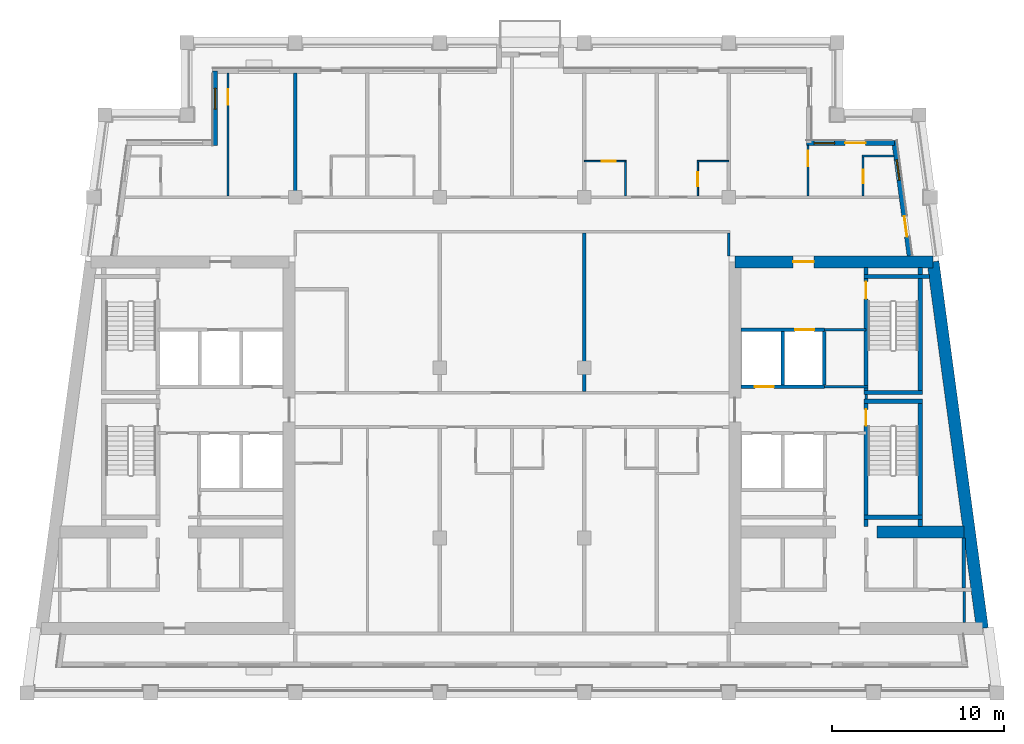
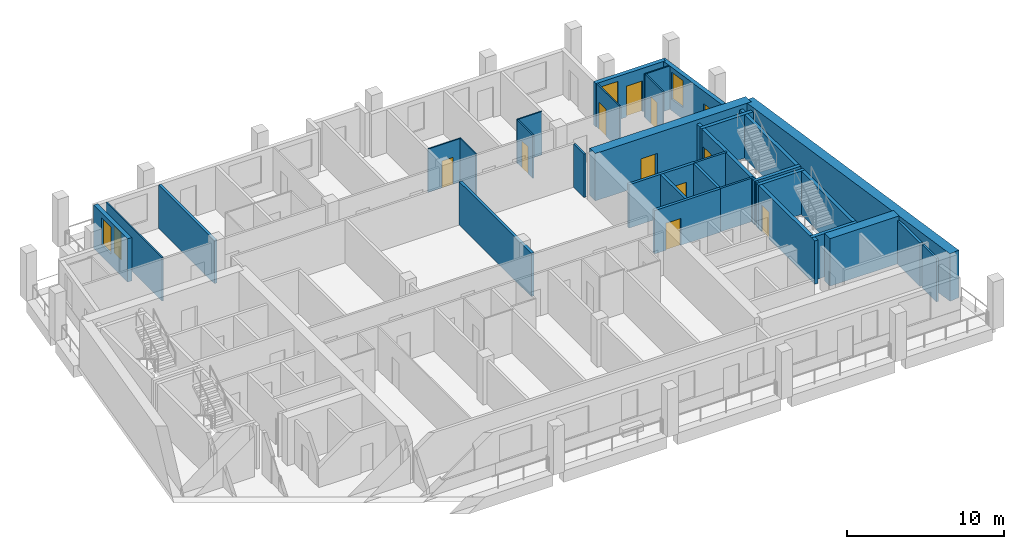
# One storey, part 6 of 13: 34 walls, 12 doors, 3 windows, 15 openings.
"""IFC4 building model written with IfcOpenShell, lengths in metres."""

from ifc_helpers import new_model, si_unit, direction, frame, frame_2d, origin, place, context, subcontext, project, spatial, rectangle, extrude, material, layer, layer_set, type_object, element, fill, save


model = new_model("IFC4")

# Units and contexts
model_context = context("Model", 3, precision=1e-05, world=origin(), true_north=direction((0.0, 1.0)))
body_context = subcontext(model_context, "Body", "Model", "MODEL_VIEW")
ifc_project = project(units=[si_unit("LENGTHUNIT", "METRE"), si_unit("AREAUNIT", "SQUARE_METRE"), si_unit("VOLUMEUNIT", "CUBIC_METRE"), si_unit("PLANEANGLEUNIT", "RADIAN"), si_unit("MASSUNIT", "GRAM", prefix="KILO")], contexts=[model_context])

# Site, building, storey
site_placement = place(None, origin())
site = spatial("IfcSite", under=ifc_project, at=site_placement, CompositionType="ELEMENT")
building_placement = place(site_placement, origin())
building = spatial("IfcBuilding", under=site, at=building_placement, Name="Candeia Pilgrim Tower and Theatre", CompositionType="ELEMENT")
storey_placement = place(building_placement, frame((0.0, 0.0, 270.10009765625)))
storey = spatial("IfcBuildingStorey", under=building, at=storey_placement, Name="L65", CompositionType="ELEMENT", Elevation=270.10009765625)

# Wall, opening, door
ifc_material_1 = material(Name="Concrete C40/50", Category="concrete")
ifc_layer_1 = layer(ifc_material_1, 0.699951171875)
ifc_layer_set_1 = layer_set([ifc_layer_1], Name="Core wall 700 C40/50")
wall_type_1 = type_object("IfcWallType", Name="Core wall 700 C40/50", PredefinedType="SHEAR", material=ifc_layer_set_1)
wall_1_placement = place(storey_placement, frame((126.35009765625, 132.050048828125, 0.0), z_axis=(0.0, 0.0, 1.0), x_axis=(1.0, 0.0, 0.0)))
wall_1 = element("IfcWall", 1, at=wall_1_placement, inside=storey, type_object=wall_type_1, Name="Core wall E1", PredefinedType="SHEAR", context=body_context, shape_type="SweptSolid", body=[
    extrude(rectangle(XDim=11.51318359375, YDim=0.699951171875, at=frame_2d((5.756591796875, 0.0))), origin(), (0.0, 0.0, 1.0), 3.699951171875),
])
opening_1_placement = place(wall_1_placement, frame((3.386474609375, 0.0, 0.0)))
opening_1 = element("IfcOpeningElement", 2, at=opening_1_placement, cuts=wall_1, Name="Opening L65-D052", PredefinedType="OPENING", context=body_context, shape_type="SweptSolid", body=[
    extrude(rectangle(XDim=1.199951171875, YDim=2.10009765625, at=frame_2d((0.60009765625, 1.050048828125))), frame((0.0, 0.35986328125, 0.0), z_axis=(0.0, -1.0, 0.0), x_axis=(1.0, 0.0, 0.0)), (0.0, 0.0, 1.0), 0.719970703125),
])
ifc_material_2 = material(Name="Steel fire door set", Category="steel")
door_type_1 = type_object("IfcDoorType", Name="D-1200-FD60", OperationType="NOTDEFINED", PredefinedType="DOOR", material=ifc_material_2)
door_1_placement = place(opening_1_placement, origin())
door_1 = element("IfcDoor", 3, at=door_1_placement, inside=storey, type_object=door_type_1, Name="Door L65-D052", OperationType="SINGLE_SWING_LEFT", OverallHeight=2.10009765625, OverallWidth=1.199951171875, PredefinedType="DOOR", context=body_context, shape_type="SweptSolid", body=[
    extrude(rectangle(XDim=1.199951171875, YDim=2.10009765625, at=frame_2d((0.60009765625, 1.050048828125))), frame((0.0, 0.02490234375, 0.0), z_axis=(0.0, -1.0, 0.0), x_axis=(1.0, 0.0, 0.0)), (0.0, 0.0, 1.0), 0.050048828125),
])
fill(opening_1, door_1)

# Walls
wall_2_placement = place(storey_placement, frame((137.86328125, 132.050048828125, 0.0), z_axis=(0.0, 0.0, 1.0), x_axis=(0.133406218907, -0.991061441464, 0.0)))
element("IfcWall", 4, at=wall_2_placement, inside=storey, type_object=wall_type_1, Name="Core wall E2", PredefinedType="SHEAR", context=body_context, shape_type="SweptSolid", body=[
    extrude(rectangle(XDim=21.4921875, YDim=0.699951171875, at=frame_2d((10.74609375, 0.0))), origin(), (0.0, 0.0, 1.0), 3.699951171875),
])
wall_3_placement = place(storey_placement, frame((134.60009765625, 116.35009765625, 0.0), z_axis=(0.0, 0.0, 1.0), x_axis=(1.0, 0.0, 0.0)))
element("IfcWall", 5, at=wall_3_placement, inside=storey, type_object=wall_type_1, Name="Core wall E6", PredefinedType="SHEAR", context=body_context, shape_type="SweptSolid", body=[
    extrude(rectangle(XDim=5.076904296875, YDim=0.699951171875, at=frame_2d((2.53857421875, 0.0))), origin(), (0.0, 0.0, 1.0), 3.699951171875),
])

# Wall, openings, door, window
ifc_material_3 = material(Name="Ceramic block masonry", Category="masonry")
ifc_layer_2 = layer(ifc_material_3, 0.300048828125)
ifc_layer_set_2 = layer_set([ifc_layer_2], Name="EW1 glazing-line wall 300")
wall_type_2 = type_object("IfcWallType", Name="EW1 glazing-line wall 300", PredefinedType="SOLIDWALL", material=ifc_layer_set_2)
wall_4_placement = place(storey_placement, frame((136.50439453125, 132.39990234375, 0.0), z_axis=(0.0, 0.0, 1.0), x_axis=(-0.133399697462, 0.99106231929, 0.0)))
wall_4 = element("IfcWall", 6, at=wall_4_placement, inside=storey, type_object=wall_type_2, Name="External wall L65-2.1", PredefinedType="SOLIDWALL", context=body_context, shape_type="SweptSolid", body=[
    extrude(rectangle(XDim=6.740478515625, YDim=0.300048828125, at=frame_2d((3.3701171875, 0.0))), origin(), (0.0, 0.0, 1.0), 3.3798828125),
])
opening_2_placement = place(wall_4_placement, frame((1.115234375, 0.0, 0.0)))
opening_2 = element("IfcOpeningElement", 7, at=opening_2_placement, cuts=wall_4, Name="Opening L65-ED615", PredefinedType="OPENING", context=body_context, shape_type="SweptSolid", body=[
    extrude(rectangle(XDim=1.199951171875, YDim=2.39990234375, at=frame_2d((0.60009765625, 1.199951171875))), frame((0.0, 0.16015625, 0.0), z_axis=(0.0, -1.0, 0.0), x_axis=(1.0, 0.0, 0.0)), (0.0, 0.0, 1.0), 0.320068359375),
])
opening_3_placement = place(wall_4_placement, frame((4.435546875, 0.0, 0.89990234375)))
opening_3 = element("IfcOpeningElement", 8, at=opening_3_placement, cuts=wall_4, Name="Opening W-B", PredefinedType="OPENING", context=body_context, shape_type="SweptSolid", body=[
    extrude(rectangle(XDim=1.199951171875, YDim=2.10009765625, at=frame_2d((0.60009765625, 1.050048828125))), frame((0.0, 0.16015625, 0.0), z_axis=(0.0, -1.0, 0.0), x_axis=(1.0, 0.0, 0.0)), (0.0, 0.0, 1.0), 0.320068359375),
])
ifc_material_4 = material(Name="Aluminium framed glazed door", Category="aluminium")
door_type_2 = type_object("IfcDoorType", Name="Loggia door 1200x2400", OperationType="DOUBLE_DOOR_SINGLE_SWING", PredefinedType="DOOR", material=ifc_material_4)
door_2_placement = place(opening_2_placement, origin())
door_2 = element("IfcDoor", 9, at=door_2_placement, inside=storey, type_object=door_type_2, Name="Loggia door L65-ED615", OperationType="DOUBLE_DOOR_SINGLE_SWING", OverallHeight=2.39990234375, OverallWidth=1.199951171875, PredefinedType="DOOR", context=body_context, shape_type="SweptSolid", body=[
    extrude(rectangle(XDim=1.199951171875, YDim=2.39990234375, at=frame_2d((0.60009765625, 1.199951171875))), frame((0.0, 0.02490234375, 0.0), z_axis=(0.0, -1.0, 0.0), x_axis=(1.0, 0.0, 0.0)), (0.0, 0.0, 1.0), 0.050048828125),
])
fill(opening_2, door_2)
ifc_material_5 = material(Name="Aluminium framed double glazing", Category="aluminium")
window_type = type_object("IfcWindowType", Name="W-B window 1200x2100", PartitioningType="SINGLE_PANEL", PredefinedType="WINDOW", material=ifc_material_5)
window_1_placement = place(opening_3_placement, origin())
window_1 = element("IfcWindow", 10, at=window_1_placement, inside=storey, type_object=window_type, Name="Window W-B L65", OverallHeight=2.10009765625, OverallWidth=1.199951171875, PartitioningType="SINGLE_PANEL", PredefinedType="WINDOW", context=body_context, shape_type="SweptSolid", body=[
    extrude(rectangle(XDim=1.199951171875, YDim=2.10009765625, at=frame_2d((0.60009765625, 1.050048828125))), frame((0.0, 0.030029296875, 0.0), z_axis=(0.0, -1.0, 0.0), x_axis=(1.0, 0.0, 0.0)), (0.0, 0.0, 1.0), 0.06005859375),
])
fill(opening_3, window_1)

wall_5_placement = place(storey_placement, frame((135.62255859375, 138.949951171875, 0.0), z_axis=(0.0, 0.0, 1.0), x_axis=(-1.0, 0.0, 0.0)))
wall_5 = element("IfcWall", 11, at=wall_5_placement, inside=storey, type_object=wall_type_2, Name="External wall L65-3.0", PredefinedType="SOLIDWALL", context=body_context, shape_type="SweptSolid", body=[
    extrude(rectangle(XDim=5.12255859375, YDim=0.300048828125, at=frame_2d((2.561279296875, 0.0))), origin(), (0.0, 0.0, 1.0), 3.3798828125),
])
opening_4_placement = place(wall_5_placement, frame((1.672607421875, 0.0, 0.0)))
opening_4 = element("IfcOpeningElement", 12, at=opening_4_placement, cuts=wall_5, Name="Opening L65-ED616", PredefinedType="OPENING", context=body_context, shape_type="SweptSolid", body=[
    extrude(rectangle(XDim=1.199951171875, YDim=2.39990234375, at=frame_2d((0.60009765625, 1.199951171875))), frame((0.0, 0.16015625, 0.0), z_axis=(0.0, -1.0, 0.0), x_axis=(1.0, 0.0, 0.0)), (0.0, 0.0, 1.0), 0.320068359375),
])
opening_5_placement = place(wall_5_placement, frame((3.47265625, 0.0, 0.89990234375)))
opening_5 = element("IfcOpeningElement", 13, at=opening_5_placement, cuts=wall_5, Name="Opening W-B", PredefinedType="OPENING", context=body_context, shape_type="SweptSolid", body=[
    extrude(rectangle(XDim=1.199951171875, YDim=2.10009765625, at=frame_2d((0.60009765625, 1.050048828125))), frame((0.0, 0.16015625, 0.0), z_axis=(0.0, -1.0, 0.0), x_axis=(1.0, 0.0, 0.0)), (0.0, 0.0, 1.0), 0.320068359375),
])
door_3_placement = place(opening_4_placement, origin())
door_3 = element("IfcDoor", 14, at=door_3_placement, inside=storey, type_object=door_type_2, Name="Loggia door L65-ED616", OperationType="DOUBLE_DOOR_SINGLE_SWING", OverallHeight=2.39990234375, OverallWidth=1.199951171875, PredefinedType="DOOR", context=body_context, shape_type="SweptSolid", body=[
    extrude(rectangle(XDim=1.199951171875, YDim=2.39990234375, at=frame_2d((0.60009765625, 1.199951171875))), frame((0.0, 0.02490234375, 0.0), z_axis=(0.0, -1.0, 0.0), x_axis=(1.0, 0.0, 0.0)), (0.0, 0.0, 1.0), 0.050048828125),
])
fill(opening_4, door_3)
window_2_placement = place(opening_5_placement, origin())
window_2 = element("IfcWindow", 15, at=window_2_placement, inside=storey, type_object=window_type, Name="Window W-B L65", OverallHeight=2.10009765625, OverallWidth=1.199951171875, PartitioningType="SINGLE_PANEL", PredefinedType="WINDOW", context=body_context, shape_type="SweptSolid", body=[
    extrude(rectangle(XDim=1.199951171875, YDim=2.10009765625, at=frame_2d((0.60009765625, 1.050048828125))), frame((0.0, 0.030029296875, 0.0), z_axis=(0.0, -1.0, 0.0), x_axis=(1.0, 0.0, 0.0)), (0.0, 0.0, 1.0), 0.06005859375),
])
fill(opening_5, window_2)

# Wall, opening, window
wall_6_placement = place(storey_placement, frame((96.14990234375, 143.14990234375, 0.0), z_axis=(0.0, 0.0, 1.0), x_axis=(0.0, -1.0, 0.0)))
wall_6 = element("IfcWall", 16, at=wall_6_placement, inside=storey, type_object=wall_type_2, Name="External wall L65-6.0", PredefinedType="SOLIDWALL", context=body_context, shape_type="SweptSolid", body=[
    extrude(rectangle(XDim=4.349853515625, YDim=0.300048828125, at=frame_2d((2.1748046875, 0.0))), origin(), (0.0, 0.0, 1.0), 3.3798828125),
])
opening_6_placement = place(wall_6_placement, frame((1.02490234375, 0.0, 0.89990234375)))
opening_6 = element("IfcOpeningElement", 17, at=opening_6_placement, cuts=wall_6, Name="Opening W-B", PredefinedType="OPENING", context=body_context, shape_type="SweptSolid", body=[
    extrude(rectangle(XDim=1.199951171875, YDim=2.10009765625, at=frame_2d((0.60009765625, 1.050048828125))), frame((0.0, 0.16015625, 0.0), z_axis=(0.0, -1.0, 0.0), x_axis=(1.0, 0.0, 0.0)), (0.0, 0.0, 1.0), 0.320068359375),
])
window_3_placement = place(opening_6_placement, origin())
window_3 = element("IfcWindow", 18, at=window_3_placement, inside=storey, type_object=window_type, Name="Window W-B L65", OverallHeight=2.10009765625, OverallWidth=1.199951171875, PartitioningType="SINGLE_PANEL", PredefinedType="WINDOW", context=body_context, shape_type="SweptSolid", body=[
    extrude(rectangle(XDim=1.199951171875, YDim=2.10009765625, at=frame_2d((0.60009765625, 1.050048828125))), frame((0.0, 0.030029296875, 0.0), z_axis=(0.0, -1.0, 0.0), x_axis=(1.0, 0.0, 0.0)), (0.0, 0.0, 1.0), 0.06005859375),
])
fill(opening_6, window_3)

# Wall, opening, door
ifc_material_6 = material(Name="Gypsum board partition on steel studs", Category="steel")
ifc_layer_3 = layer(ifc_material_6, 0.10009765625)
ifc_layer_set_3 = layer_set([ifc_layer_3], Name="PW-100 room partition")
wall_type_3 = type_object("IfcWallType", Name="PW-100 room partition", PredefinedType="PARTITIONING", material=ifc_layer_set_3)
wall_7_placement = place(storey_placement, frame((117.60009765625, 137.89990234375, 0.0), z_axis=(0.0, 0.0, 1.0), x_axis=(1.0, 0.0, 0.0)))
wall_7 = element("IfcWall", 19, at=wall_7_placement, inside=storey, type_object=wall_type_3, Name="Room partition L65-040", PredefinedType="PARTITIONING", context=body_context, shape_type="SweptSolid", body=[
    extrude(rectangle(XDim=2.449951171875, YDim=0.10009765625, at=frame_2d((1.22509765625, 0.0))), origin(), (0.0, 0.0, 1.0), 3.3798828125),
])
opening_7_placement = place(wall_7_placement, frame((1.02490234375, 0.0, 0.0)))
opening_7 = element("IfcOpeningElement", 20, at=opening_7_placement, cuts=wall_7, Name="Opening L65-D038", PredefinedType="OPENING", context=body_context, shape_type="SweptSolid", body=[
    extrude(rectangle(XDim=0.800048828125, YDim=2.10009765625, at=frame_2d((0.39990234375, 1.050048828125))), frame((0.0, 0.06005859375, 0.0), z_axis=(0.0, -1.0, 0.0), x_axis=(1.0, 0.0, 0.0)), (0.0, 0.0, 1.0), 0.1201171875),
])
ifc_material_7 = material(Name="Timber door leaf", Category="wood")
door_type_3 = type_object("IfcDoorType", Name="D-800", OperationType="NOTDEFINED", PredefinedType="DOOR", material=ifc_material_7)
door_4_placement = place(opening_7_placement, origin())
door_4 = element("IfcDoor", 21, at=door_4_placement, inside=storey, type_object=door_type_3, Name="Door L65-D038", OperationType="SINGLE_SWING_LEFT", OverallHeight=2.10009765625, OverallWidth=0.800048828125, PredefinedType="DOOR", context=body_context, shape_type="SweptSolid", body=[
    extrude(rectangle(XDim=0.800048828125, YDim=2.10009765625, at=frame_2d((0.39990234375, 1.050048828125))), frame((0.0, 0.02490234375, 0.0), z_axis=(0.0, -1.0, 0.0), x_axis=(1.0, 0.0, 0.0)), (0.0, 0.0, 1.0), 0.050048828125),
])
fill(opening_7, door_4)

# Walls
wall_8_placement = place(storey_placement, frame((124.14990234375, 137.89990234375, 0.0), z_axis=(0.0, 0.0, 1.0), x_axis=(1.0, 0.0, 0.0)))
element("IfcWall", 22, at=wall_8_placement, inside=storey, type_object=wall_type_3, Name="Room partition L65-041", PredefinedType="PARTITIONING", context=body_context, shape_type="SweptSolid", body=[
    extrude(rectangle(XDim=1.85009765625, YDim=0.10009765625, at=frame_2d((0.925048828125, 0.0))), origin(), (0.0, 0.0, 1.0), 3.3798828125),
])
wall_9_placement = place(storey_placement, frame((133.75, 138.199951171875, 0.0), z_axis=(0.0, 0.0, 1.0), x_axis=(1.0, 0.0, 0.0)))
element("IfcWall", 23, at=wall_9_placement, inside=storey, type_object=wall_type_3, Name="Room partition L65-044", PredefinedType="PARTITIONING", context=body_context, shape_type="SweptSolid", body=[
    extrude(rectangle(XDim=1.832275390625, YDim=0.10009765625, at=frame_2d((0.916015625, 0.0))), origin(), (0.0, 0.0, 1.0), 3.3798828125),
])

# Wall, opening, door
wall_10_placement = place(storey_placement, frame((96.89990234375, 135.875, 0.0), z_axis=(0.0, 0.0, 1.0), x_axis=(0.0, 1.0, 0.0)))
wall_10 = element("IfcWall", 24, at=wall_10_placement, inside=storey, type_object=wall_type_3, Name="Room partition L65-058", PredefinedType="PARTITIONING", context=body_context, shape_type="SweptSolid", body=[
    extrude(rectangle(XDim=7.135009765625, YDim=0.10009765625, at=frame_2d((3.5673828125, 0.0))), origin(), (0.0, 0.0, 1.0), 3.3798828125),
])
opening_8_placement = place(wall_10_placement, frame((5.2900390625, 0.0, 0.0)))
opening_8 = element("IfcOpeningElement", 25, at=opening_8_placement, cuts=wall_10, Name="Opening L65-D029", PredefinedType="OPENING", context=body_context, shape_type="SweptSolid", body=[
    extrude(rectangle(XDim=0.89990234375, YDim=2.10009765625, at=frame_2d((0.449951171875, 1.050048828125))), frame((0.0, 0.06005859375, 0.0), z_axis=(0.0, -1.0, 0.0), x_axis=(1.0, 0.0, 0.0)), (0.0, 0.0, 1.0), 0.1201171875),
])
door_type_4 = type_object("IfcDoorType", Name="D-900", OperationType="NOTDEFINED", PredefinedType="DOOR", material=ifc_material_7)
door_5_placement = place(opening_8_placement, origin())
door_5 = element("IfcDoor", 26, at=door_5_placement, inside=storey, type_object=door_type_4, Name="Door L65-D029", OperationType="SINGLE_SWING_RIGHT", OverallHeight=2.10009765625, OverallWidth=0.89990234375, PredefinedType="DOOR", context=body_context, shape_type="SweptSolid", body=[
    extrude(rectangle(XDim=0.89990234375, YDim=2.10009765625, at=frame_2d((0.449951171875, 1.050048828125))), frame((0.0, 0.02490234375, 0.0), z_axis=(0.0, -1.0, 0.0), x_axis=(1.0, 0.0, 0.0)), (0.0, 0.0, 1.0), 0.050048828125),
])
fill(opening_8, door_5)

# Wall
wall_11_placement = place(storey_placement, frame((120.0, 135.875, 0.0), z_axis=(0.0, 0.0, 1.0), x_axis=(0.0, 1.0, 0.0)))
element("IfcWall", 27, at=wall_11_placement, inside=storey, type_object=wall_type_3, Name="Room partition L65-082", PredefinedType="PARTITIONING", context=body_context, shape_type="SweptSolid", body=[
    extrude(rectangle(XDim=1.97509765625, YDim=0.10009765625, at=frame_2d((0.987548828125, 0.0))), origin(), (0.0, 0.0, 1.0), 3.3798828125),
])

# Wall, opening, door
wall_12_placement = place(storey_placement, frame((124.199951171875, 135.875, 0.0), z_axis=(0.0, 0.0, 1.0), x_axis=(0.0, 1.0, 0.0)))
wall_12 = element("IfcWall", 28, at=wall_12_placement, inside=storey, type_object=wall_type_3, Name="Room partition L65-086", PredefinedType="PARTITIONING", context=body_context, shape_type="SweptSolid", body=[
    extrude(rectangle(XDim=1.97509765625, YDim=0.10009765625, at=frame_2d((0.987548828125, 0.0))), origin(), (0.0, 0.0, 1.0), 3.3798828125),
])
opening_9_placement = place(wall_12_placement, frame((0.574951171875, 0.0, 0.0)))
opening_9 = element("IfcOpeningElement", 29, at=opening_9_placement, cuts=wall_12, Name="Opening L65-D040", PredefinedType="OPENING", context=body_context, shape_type="SweptSolid", body=[
    extrude(rectangle(XDim=0.800048828125, YDim=2.10009765625, at=frame_2d((0.39990234375, 1.050048828125))), frame((0.0, 0.06005859375, 0.0), z_axis=(0.0, -1.0, 0.0), x_axis=(1.0, 0.0, 0.0)), (0.0, 0.0, 1.0), 0.1201171875),
])
door_6_placement = place(opening_9_placement, origin())
door_6 = element("IfcDoor", 30, at=door_6_placement, inside=storey, type_object=door_type_3, Name="Door L65-D040", OperationType="SINGLE_SWING_LEFT", OverallHeight=2.10009765625, OverallWidth=0.800048828125, PredefinedType="DOOR", context=body_context, shape_type="SweptSolid", body=[
    extrude(rectangle(XDim=0.800048828125, YDim=2.10009765625, at=frame_2d((0.39990234375, 1.050048828125))), frame((0.0, 0.02490234375, 0.0), z_axis=(0.0, -1.0, 0.0), x_axis=(1.0, 0.0, 0.0)), (0.0, 0.0, 1.0), 0.050048828125),
])
fill(opening_9, door_6)

wall_13_placement = place(storey_placement, frame((130.60009765625, 135.875, 0.0), z_axis=(0.0, 0.0, 1.0), x_axis=(0.0, 1.0, 0.0)))
wall_13 = element("IfcWall", 31, at=wall_13_placement, inside=storey, type_object=wall_type_3, Name="Room partition L65-093", PredefinedType="PARTITIONING", context=body_context, shape_type="SweptSolid", body=[
    extrude(rectangle(XDim=2.93505859375, YDim=0.10009765625, at=frame_2d((1.467529296875, 0.0))), origin(), (0.0, 0.0, 1.0), 3.3798828125),
])
opening_10_placement = place(wall_13_placement, frame((1.719970703125, 0.0, 0.0)))
opening_10 = element("IfcOpeningElement", 32, at=opening_10_placement, cuts=wall_13, Name="Opening L65-D042", PredefinedType="OPENING", context=body_context, shape_type="SweptSolid", body=[
    extrude(rectangle(XDim=0.89990234375, YDim=2.10009765625, at=frame_2d((0.449951171875, 1.050048828125))), frame((0.0, 0.06005859375, 0.0), z_axis=(0.0, -1.0, 0.0), x_axis=(1.0, 0.0, 0.0)), (0.0, 0.0, 1.0), 0.1201171875),
])
door_7_placement = place(opening_10_placement, origin())
door_7 = element("IfcDoor", 33, at=door_7_placement, inside=storey, type_object=door_type_4, Name="Door L65-D042", OperationType="SINGLE_SWING_LEFT", OverallHeight=2.10009765625, OverallWidth=0.89990234375, PredefinedType="DOOR", context=body_context, shape_type="SweptSolid", body=[
    extrude(rectangle(XDim=0.89990234375, YDim=2.10009765625, at=frame_2d((0.449951171875, 1.050048828125))), frame((0.0, 0.02490234375, 0.0), z_axis=(0.0, -1.0, 0.0), x_axis=(1.0, 0.0, 0.0)), (0.0, 0.0, 1.0), 0.050048828125),
])
fill(opening_10, door_7)

wall_14_placement = place(storey_placement, frame((133.800048828125, 135.875, 0.0), z_axis=(0.0, 0.0, 1.0), x_axis=(0.0, 1.0, 0.0)))
wall_14 = element("IfcWall", 34, at=wall_14_placement, inside=storey, type_object=wall_type_3, Name="Room partition L65-097", PredefinedType="PARTITIONING", context=body_context, shape_type="SweptSolid", body=[
    extrude(rectangle(XDim=2.27490234375, YDim=0.10009765625, at=frame_2d((1.137451171875, 0.0))), origin(), (0.0, 0.0, 1.0), 3.3798828125),
])
opening_11_placement = place(wall_14_placement, frame((0.72509765625, 0.0, 0.0)))
opening_11 = element("IfcOpeningElement", 35, at=opening_11_placement, cuts=wall_14, Name="Opening L65-D043", PredefinedType="OPENING", context=body_context, shape_type="SweptSolid", body=[
    extrude(rectangle(XDim=0.800048828125, YDim=2.10009765625, at=frame_2d((0.39990234375, 1.050048828125))), frame((0.0, 0.06005859375, 0.0), z_axis=(0.0, -1.0, 0.0), x_axis=(1.0, 0.0, 0.0)), (0.0, 0.0, 1.0), 0.1201171875),
])
door_8_placement = place(opening_11_placement, origin())
door_8 = element("IfcDoor", 36, at=door_8_placement, inside=storey, type_object=door_type_3, Name="Door L65-D043", OperationType="SINGLE_SWING_RIGHT", OverallHeight=2.10009765625, OverallWidth=0.800048828125, PredefinedType="DOOR", context=body_context, shape_type="SweptSolid", body=[
    extrude(rectangle(XDim=0.800048828125, YDim=2.10009765625, at=frame_2d((0.39990234375, 1.050048828125))), frame((0.0, 0.02490234375, 0.0), z_axis=(0.0, -1.0, 0.0), x_axis=(1.0, 0.0, 0.0)), (0.0, 0.0, 1.0), 0.050048828125),
])
fill(opening_11, door_8)

# Walls
ifc_layer_4 = layer(ifc_material_6, 0.14990234375)
ifc_layer_set_4 = layer_set([ifc_layer_4], Name="PW-150 lobby wall")
wall_type_4 = type_object("IfcWallType", Name="PW-150 lobby wall", PredefinedType="PARTITIONING", material=ifc_layer_set_4)
wall_15_placement = place(storey_placement, frame((131.548583984375, 124.800048828125, 0.0), z_axis=(0.0, 0.0, 1.0), x_axis=(1.0, 0.0, 0.0)))
element("IfcWall", 37, at=wall_15_placement, inside=storey, type_object=wall_type_4, Name="Lobby wall L65-031", PredefinedType="PARTITIONING", context=body_context, shape_type="SweptSolid", body=[
    extrude(rectangle(XDim=2.54931640625, YDim=0.14990234375, at=frame_2d((1.274658203125, 0.0))), origin(), (0.0, 0.0, 1.0), 3.3798828125),
])
wall_16_placement = place(storey_placement, frame((131.548583984375, 128.10009765625, 0.0), z_axis=(0.0, 0.0, 1.0), x_axis=(1.0, 0.0, 0.0)))
element("IfcWall", 38, at=wall_16_placement, inside=storey, type_object=wall_type_4, Name="Lobby wall L65-034", PredefinedType="PARTITIONING", context=body_context, shape_type="SweptSolid", body=[
    extrude(rectangle(XDim=2.42431640625, YDim=0.14990234375, at=frame_2d((1.212158203125, 0.0))), origin(), (0.0, 0.0, 1.0), 3.3798828125),
])
wall_17_placement = place(storey_placement, frame((133.972900390625, 124.074951171875, 0.0), z_axis=(0.0, 0.0, 1.0), x_axis=(0.0, 1.0, 0.0)))
element("IfcWall", 39, at=wall_17_placement, inside=storey, type_object=wall_type_4, Name="Lobby wall L65-099", PredefinedType="PARTITIONING", context=body_context, shape_type="SweptSolid", body=[
    extrude(rectangle(XDim=0.25, YDim=0.14990234375, at=frame_2d((0.125, 0.0))), origin(), (0.0, 0.0, 1.0), 3.3798828125),
])
wall_18_placement = place(storey_placement, frame((139.673095703125, 111.10009765625, 0.0), z_axis=(0.0, 0.0, 1.0), x_axis=(0.0, 1.0, 0.0)))
element("IfcWall", 40, at=wall_18_placement, inside=storey, type_object=wall_type_4, Name="Lobby wall L65-106", PredefinedType="PARTITIONING", context=body_context, shape_type="SweptSolid", body=[
    extrude(rectangle(XDim=1.7998046875, YDim=0.14990234375, at=frame_2d((0.89990234375, 0.0))), origin(), (0.0, 0.0, 1.0), 3.3798828125),
])
ifc_layer_5 = layer(ifc_material_6, 0.14990234375)
ifc_layer_set_5 = layer_set([ifc_layer_5], Name="PW-150 unit wall")
wall_type_5 = type_object("IfcWallType", Name="PW-150 unit wall", PredefinedType="PARTITIONING", material=ifc_layer_set_5)
wall_19_placement = place(storey_placement, frame((126.0, 132.39990234375, 0.0), z_axis=(0.0, 0.0, 1.0), x_axis=(0.0, 1.0, 0.0)))
element("IfcWall", 41, at=wall_19_placement, inside=storey, type_object=wall_type_5, Name="Unit wall L65-089", PredefinedType="PARTITIONING", context=body_context, shape_type="SweptSolid", body=[
    extrude(rectangle(XDim=1.3251953125, YDim=0.14990234375, at=frame_2d((0.66259765625, 0.0))), origin(), (0.0, 0.0, 1.0), 3.3798828125),
])
ifc_layer_6 = layer(ifc_material_6, 0.199951171875)
ifc_layer_set_6 = layer_set([ifc_layer_6], Name="PW-200 party wall")
wall_type_6 = type_object("IfcWallType", Name="PW-200 party wall", PredefinedType="PARTITIONING", material=ifc_layer_set_6)
wall_20_placement = place(storey_placement, frame((100.800048828125, 135.875, 0.0), z_axis=(0.0, 0.0, 1.0), x_axis=(0.0, 1.0, 0.0)))
element("IfcWall", 42, at=wall_20_placement, inside=storey, type_object=wall_type_6, Name="Party wall L65-063", PredefinedType="PARTITIONING", context=body_context, shape_type="SweptSolid", body=[
    extrude(rectangle(XDim=7.135009765625, YDim=0.199951171875, at=frame_2d((3.5673828125, 0.0))), origin(), (0.0, 0.0, 1.0), 3.3798828125),
])
wall_21_placement = place(storey_placement, frame((117.60009765625, 124.52490234375, 0.0), z_axis=(0.0, 0.0, 1.0), x_axis=(0.0, 1.0, 0.0)))
element("IfcWall", 43, at=wall_21_placement, inside=storey, type_object=wall_type_6, Name="Party wall L65-079", PredefinedType="PARTITIONING", context=body_context, shape_type="SweptSolid", body=[
    extrude(rectangle(XDim=9.2001953125, YDim=0.199951171875, at=frame_2d((4.60009765625, 0.0))), origin(), (0.0, 0.0, 1.0), 3.3798828125),
])

# Wall, opening, door
ifc_layer_7 = layer(ifc_material_1, 0.199951171875)
ifc_layer_set_7 = layer_set([ifc_layer_7], Name="SW-200 shaft wall")
wall_type_7 = type_object("IfcWallType", Name="SW-200 shaft wall", PredefinedType="PARTITIONING", material=ifc_layer_set_7)
wall_22_placement = place(storey_placement, frame((126.699951171875, 124.800048828125, 0.0), z_axis=(0.0, 0.0, 1.0), x_axis=(1.0, 0.0, 0.0)))
wall_22 = element("IfcWall", 44, at=wall_22_placement, inside=storey, type_object=wall_type_7, Name="Shaft wall L65-030", PredefinedType="PARTITIONING", context=body_context, shape_type="SweptSolid", body=[
    extrude(rectangle(XDim=4.8486328125, YDim=0.199951171875, at=frame_2d((2.42431640625, 0.0))), origin(), (0.0, 0.0, 1.0), 3.3798828125),
])
opening_12_placement = place(wall_22_placement, frame((0.818115234375, 0.0, 0.0)))
opening_12 = element("IfcOpeningElement", 45, at=opening_12_placement, cuts=wall_22, Name="Opening L65-LD08", PredefinedType="OPENING", context=body_context, shape_type="SweptSolid", body=[
    extrude(rectangle(XDim=1.10009765625, YDim=2.10009765625, at=frame_2d((0.550048828125, 1.050048828125))), frame((0.0, 0.10986328125, 0.0), z_axis=(0.0, -1.0, 0.0), x_axis=(1.0, 0.0, 0.0)), (0.0, 0.0, 1.0), 0.219970703125),
])
ifc_material_8 = material(Name="Glazed aluminium landing door", Category="aluminium")
door_type_5 = type_object("IfcDoorType", Name="LD-1100-EI120", OperationType="SLIDING_TO_LEFT", PredefinedType="DOOR", material=ifc_material_8)
door_9_placement = place(opening_12_placement, origin())
door_9 = element("IfcDoor", 46, at=door_9_placement, inside=storey, type_object=door_type_5, Name="Landing door 08 L65", OperationType="SLIDING_TO_LEFT", OverallHeight=2.10009765625, OverallWidth=1.10009765625, PredefinedType="DOOR", context=body_context, shape_type="SweptSolid", body=[
    extrude(rectangle(XDim=1.10009765625, YDim=2.10009765625, at=frame_2d((0.550048828125, 1.050048828125))), frame((0.0, 0.02490234375, 0.0), z_axis=(0.0, -1.0, 0.0), x_axis=(1.0, 0.0, 0.0)), (0.0, 0.0, 1.0), 0.050048828125),
])
fill(opening_12, door_9)

wall_23_placement = place(storey_placement, frame((126.699951171875, 128.10009765625, 0.0), z_axis=(0.0, 0.0, 1.0), x_axis=(1.0, 0.0, 0.0)))
wall_23 = element("IfcWall", 47, at=wall_23_placement, inside=storey, type_object=wall_type_7, Name="Shaft wall L65-033", PredefinedType="PARTITIONING", context=body_context, shape_type="SweptSolid", body=[
    extrude(rectangle(XDim=4.8486328125, YDim=0.199951171875, at=frame_2d((2.42431640625, 0.0))), origin(), (0.0, 0.0, 1.0), 3.3798828125),
])
opening_13_placement = place(wall_23_placement, frame((3.14892578125, 0.0, 0.0)))
opening_13 = element("IfcOpeningElement", 48, at=opening_13_placement, cuts=wall_23, Name="Opening L65-LD07", PredefinedType="OPENING", context=body_context, shape_type="SweptSolid", body=[
    extrude(rectangle(XDim=1.10009765625, YDim=2.10009765625, at=frame_2d((0.550048828125, 1.050048828125))), frame((0.0, 0.10986328125, 0.0), z_axis=(0.0, -1.0, 0.0), x_axis=(1.0, 0.0, 0.0)), (0.0, 0.0, 1.0), 0.219970703125),
])
door_10_placement = place(opening_13_placement, origin())
door_10 = element("IfcDoor", 49, at=door_10_placement, inside=storey, type_object=door_type_5, Name="Landing door 07 L65", OperationType="SLIDING_TO_LEFT", OverallHeight=2.10009765625, OverallWidth=1.10009765625, PredefinedType="DOOR", context=body_context, shape_type="SweptSolid", body=[
    extrude(rectangle(XDim=1.10009765625, YDim=2.10009765625, at=frame_2d((0.550048828125, 1.050048828125))), frame((0.0, 0.02490234375, 0.0), z_axis=(0.0, -1.0, 0.0), x_axis=(1.0, 0.0, 0.0)), (0.0, 0.0, 1.0), 0.050048828125),
])
fill(opening_13, door_10)

# Walls
for number, where, z_axis, x_axis, name in (
    (50, (129.124267578125, 124.89990234375, 0.0), (0.0, 0.0, 1.0), (0.0, 1.0, 0.0), "Shaft wall L65-090"),
    (51, (131.548583984375, 124.89990234375, 0.0), (0.0, 0.0, 1.0), (0.0, 1.0, 0.0), "Shaft wall L65-094"),
):
    element("IfcWall", number, at=place(storey_placement, frame(where, z_axis=z_axis, x_axis=x_axis)), inside=storey, type_object=wall_type_7, Name=name, PredefinedType="PARTITIONING", context=body_context, shape_type="SweptSolid", body=[
        extrude(rectangle(XDim=3.10009765625, YDim=0.199951171875, at=frame_2d((1.550048828125, 0.0))), origin(), (0.0, 0.0, 1.0), 3.3798828125),
    ])
wall_24_placement = place(storey_placement, frame((139.651611328125, 113.10009765625, 0.0), z_axis=(0.0, 0.0, 1.0), x_axis=(0.0, 1.0, 0.0)))
element("IfcWall", 52, at=wall_24_placement, inside=storey, type_object=wall_type_7, Name="Shaft wall L65-105", PredefinedType="PARTITIONING", context=body_context, shape_type="SweptSolid", body=[
    extrude(rectangle(XDim=2.89990234375, YDim=0.199951171875, at=frame_2d((1.449951171875, 0.0))), origin(), (0.0, 0.0, 1.0), 3.3798828125),
])
ifc_layer_8 = layer(ifc_material_1, 0.25)
ifc_layer_set_8 = layer_set([ifc_layer_8], Name="SW-250 stair wall")
wall_type_8 = type_object("IfcWallType", Name="SW-250 stair wall", PredefinedType="PARTITIONING", material=ifc_layer_set_8)
for number, where, z_axis, x_axis, name in (
    (53, (133.847900390625, 117.199951171875, 0.0), (0.0, 0.0, 1.0), (1.0, 0.0, 0.0), "Stair wall L65-011"),
    (54, (133.847900390625, 123.949951171875, 0.0), (0.0, 0.0, 1.0), (1.0, 0.0, 0.0), "Stair wall L65-025"),
    (55, (133.847900390625, 124.449951171875, 0.0), (0.0, 0.0, 1.0), (1.0, 0.0, 0.0), "Stair wall L65-027"),
):
    element("IfcWall", number, at=place(storey_placement, frame(where, z_axis=z_axis, x_axis=x_axis)), inside=storey, type_object=wall_type_8, Name=name, PredefinedType="PARTITIONING", context=body_context, shape_type="SweptSolid", body=[
        extrude(rectangle(XDim=3.400146484375, YDim=0.25, at=frame_2d((1.7001953125, 0.0))), origin(), (0.0, 0.0, 1.0), 3.3798828125),
    ])
wall_25_placement = place(storey_placement, frame((133.847900390625, 131.199951171875, 0.0), z_axis=(0.0, 0.0, 1.0), x_axis=(1.0, 0.0, 0.0)))
element("IfcWall", 56, at=wall_25_placement, inside=storey, type_object=wall_type_8, Name="Stair wall L65-037", PredefinedType="PARTITIONING", context=body_context, shape_type="SweptSolid", body=[
    extrude(rectangle(XDim=3.806640625, YDim=0.25, at=frame_2d((1.9033203125, 0.0))), origin(), (0.0, 0.0, 1.0), 3.3798828125),
])

# Wall, opening, door
wall_26_placement = place(storey_placement, frame((133.972900390625, 116.669921875, 0.0), z_axis=(0.0, 0.0, 1.0), x_axis=(0.0, 1.0, 0.0)))
wall_26 = element("IfcWall", 57, at=wall_26_placement, inside=storey, type_object=wall_type_8, Name="Stair wall L65-100", PredefinedType="PARTITIONING", context=body_context, shape_type="SweptSolid", body=[
    extrude(rectangle(XDim=7.155029296875, YDim=0.25, at=frame_2d((3.57763671875, 0.0))), origin(), (0.0, 0.0, 1.0), 3.3798828125),
])
opening_14_placement = place(wall_26_placement, frame((5.85498046875, 0.0, 0.0)))
opening_14 = element("IfcOpeningElement", 58, at=opening_14_placement, cuts=wall_26, Name="Opening L65-D010", PredefinedType="OPENING", context=body_context, shape_type="SweptSolid", body=[
    extrude(rectangle(XDim=0.949951171875, YDim=2.10009765625, at=frame_2d((0.47509765625, 1.050048828125))), frame((0.0, 0.135009765625, 0.0), z_axis=(0.0, -1.0, 0.0), x_axis=(1.0, 0.0, 0.0)), (0.0, 0.0, 1.0), 0.27001953125),
])
door_type_6 = type_object("IfcDoorType", Name="D-950-FD60", OperationType="NOTDEFINED", PredefinedType="DOOR", material=ifc_material_2)
door_11_placement = place(opening_14_placement, origin())
door_11 = element("IfcDoor", 59, at=door_11_placement, inside=storey, type_object=door_type_6, Name="Door L65-D010", OperationType="SINGLE_SWING_LEFT", OverallHeight=2.10009765625, OverallWidth=0.949951171875, PredefinedType="DOOR", context=body_context, shape_type="SweptSolid", body=[
    extrude(rectangle(XDim=0.949951171875, YDim=2.10009765625, at=frame_2d((0.47509765625, 1.050048828125))), frame((0.0, 0.02490234375, 0.0), z_axis=(0.0, -1.0, 0.0), x_axis=(1.0, 0.0, 0.0)), (0.0, 0.0, 1.0), 0.050048828125),
])
fill(opening_14, door_11)

wall_27_placement = place(storey_placement, frame((133.972900390625, 124.574951171875, 0.0), z_axis=(0.0, 0.0, 1.0), x_axis=(0.0, 1.0, 0.0)))
wall_27 = element("IfcWall", 60, at=wall_27_placement, inside=storey, type_object=wall_type_8, Name="Stair wall L65-101", PredefinedType="PARTITIONING", context=body_context, shape_type="SweptSolid", body=[
    extrude(rectangle(XDim=7.155029296875, YDim=0.25, at=frame_2d((3.57763671875, 0.0))), origin(), (0.0, 0.0, 1.0), 3.3798828125),
])
opening_15_placement = place(wall_27_placement, frame((5.324951171875, 0.0, 0.0)))
opening_15 = element("IfcOpeningElement", 61, at=opening_15_placement, cuts=wall_27, Name="Opening L65-D011", PredefinedType="OPENING", context=body_context, shape_type="SweptSolid", body=[
    extrude(rectangle(XDim=1.0, YDim=2.10009765625, at=frame_2d((0.5, 1.050048828125))), frame((0.0, 0.135009765625, 0.0), z_axis=(0.0, -1.0, 0.0), x_axis=(1.0, 0.0, 0.0)), (0.0, 0.0, 1.0), 0.27001953125),
])
door_type_7 = type_object("IfcDoorType", Name="D-1000-FD60", OperationType="NOTDEFINED", PredefinedType="DOOR", material=ifc_material_2)
door_12_placement = place(opening_15_placement, origin())
door_12 = element("IfcDoor", 62, at=door_12_placement, inside=storey, type_object=door_type_7, Name="Door L65-D011", OperationType="SINGLE_SWING_RIGHT", OverallHeight=2.10009765625, OverallWidth=1.0, PredefinedType="DOOR", context=body_context, shape_type="SweptSolid", body=[
    extrude(rectangle(XDim=1.0, YDim=2.10009765625, at=frame_2d((0.5, 1.050048828125))), frame((0.0, 0.02490234375, 0.0), z_axis=(0.0, -1.0, 0.0), x_axis=(1.0, 0.0, 0.0)), (0.0, 0.0, 1.0), 0.050048828125),
])
fill(opening_15, door_12)

# Walls
for number, where, z_axis, x_axis, name in (
    (63, (137.123046875, 116.669921875, 0.0), (0.0, 0.0, 1.0), (0.0, 1.0, 0.0), "Stair wall L65-103"),
    (64, (137.123046875, 124.574951171875, 0.0), (0.0, 0.0, 1.0), (0.0, 1.0, 0.0), "Stair wall L65-104"),
):
    element("IfcWall", number, at=place(storey_placement, frame(where, z_axis=z_axis, x_axis=x_axis)), inside=storey, type_object=wall_type_8, Name=name, PredefinedType="PARTITIONING", context=body_context, shape_type="SweptSolid", body=[
        extrude(rectangle(XDim=7.155029296875, YDim=0.25, at=frame_2d((3.57763671875, 0.0))), origin(), (0.0, 0.0, 1.0), 3.3798828125),
    ])

save(model, "model.ifc")
